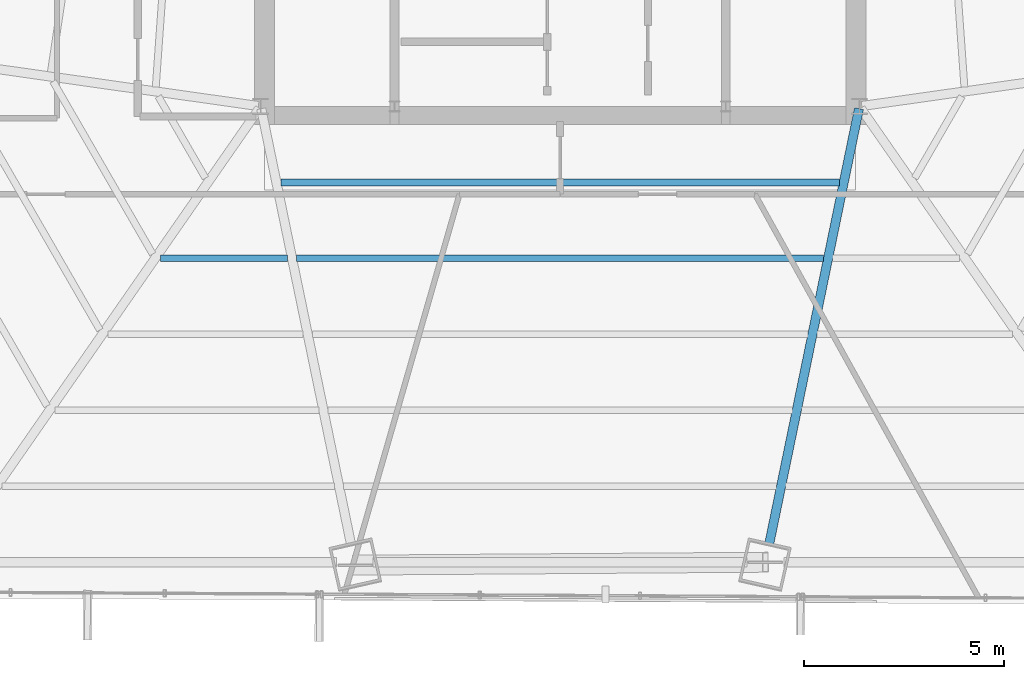
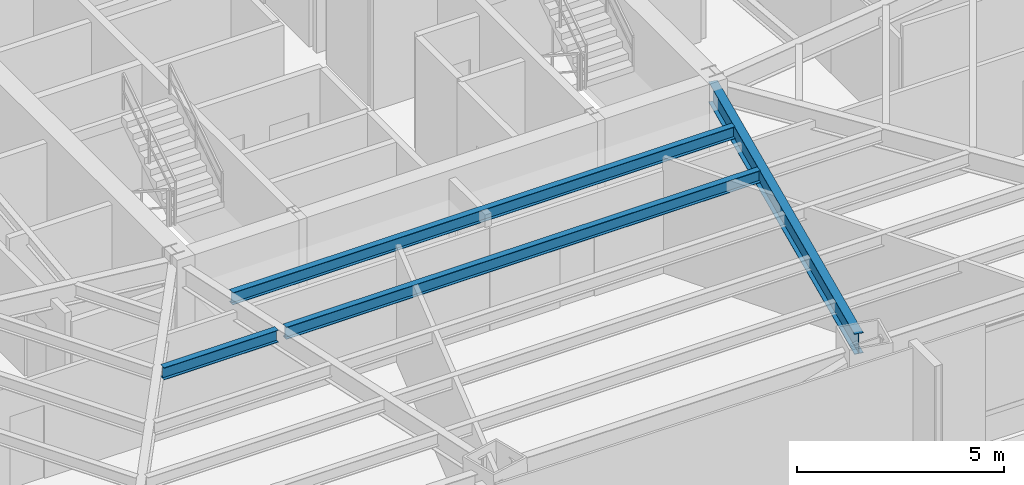
# One storey, part 10 of 36: 4 beams.
"""IFC4 building model written with IfcOpenShell, lengths in metres."""

from ifc_helpers import new_model, si_unit, direction, frame, origin, origin_2d, place, context, subcontext, project, spatial, i_section, extrude, source, transform, mapped, material, material_profile, profile_set, type_object, type_shapes, element, save


model = new_model("IFC4")

# Units and contexts
model_context = context("Model", 3, precision=1e-05, world=origin(), true_north=direction((0.0, 1.0)))
body_context = subcontext(model_context, "Body", "Model", "MODEL_VIEW")
ifc_project = project(units=[si_unit("LENGTHUNIT", "METRE"), si_unit("AREAUNIT", "SQUARE_METRE"), si_unit("VOLUMEUNIT", "CUBIC_METRE"), si_unit("PLANEANGLEUNIT", "RADIAN"), si_unit("MASSUNIT", "GRAM", prefix="KILO")], contexts=[model_context])

# Site, building, storey
site_placement = place(None, origin())
site = spatial("IfcSite", under=ifc_project, at=site_placement, CompositionType="ELEMENT")
building_placement = place(site_placement, origin())
building = spatial("IfcBuilding", under=site, at=building_placement, Name="Caelisora Broadcast Tower", CompositionType="ELEMENT")
storey_placement = place(building_placement, frame((0.0, 0.0, 83.5)))
storey = spatial("IfcBuildingStorey", under=building, at=storey_placement, Name="L21", CompositionType="ELEMENT", Elevation=83.5)

# Beams
ifc_material = material(Name="Steel Grade 350 (AS/NZS 3679.1)", Category="steel")
ifc_material_profile_1 = material_profile(ifc_material, i_section(OverallWidth=0.22802734375, OverallDepth=0.602294921875, WebThickness=0.010498046875, FlangeThickness=0.014892578125, at=origin_2d()), Name="Steel Grade 350 (AS/NZS 3679.1)")
ifc_profile_set_1 = profile_set([ifc_material_profile_1], Name="Steel Grade 350 (AS/NZS 3679.1)")
beam_type_1 = type_object("IfcBeamType", Name="PG04", PredefinedType="BEAM", material=ifc_profile_set_1)
shared_shape_1 = source(origin(), body_context, "Body", "SweptSolid", [
    extrude(i_section(OverallWidth=0.22802734375, OverallDepth=0.602294921875, WebThickness=0.010498046875, FlangeThickness=0.014892578125, at=origin_2d()), origin(), (0.0, 0.0, 1.0), 11.180908203125),
])
type_shapes(beam_type_1, [shared_shape_1])
beam_1_placement = place(storey_placement, frame((45.48779296875, 17.34130859375, 3.098876953125), z_axis=(-0.201978829994, -0.979389887754, 0.0), x_axis=(0.979389887754, -0.201978829994, 0.0)))
element("IfcBeam", 1, at=beam_1_placement, inside=storey, type_object=beam_type_1, Name="L21 beam PG04", PredefinedType="BEAM", context=body_context, shape_type="MappedRepresentation", body=[
    mapped(shared_shape_1, transform((0.0, 0.0, 0.0), scale=1.0)),
])
ifc_material_profile_2 = material_profile(ifc_material, i_section(OverallWidth=0.172119140625, OverallDepth=0.358642578125, WebThickness=0.008056640625, FlangeThickness=0.012939453125, at=origin_2d()), Name="Steel Grade 350 (AS/NZS 3679.1)")
ifc_profile_set_2 = profile_set([ifc_material_profile_2], Name="Steel Grade 350 (AS/NZS 3679.1)")
beam_type_2 = type_object("IfcBeamType", Name="SB02", PredefinedType="JOIST", material=ifc_profile_set_2)
shared_shape_2 = source(origin(), body_context, "Body", "SweptSolid", [
    extrude(i_section(OverallWidth=0.172119140625, OverallDepth=0.358642578125, WebThickness=0.008056640625, FlangeThickness=0.012939453125, at=origin_2d()), origin(), (0.0, 0.0, 1.0), 3.1806640625),
])
beam_2_placement = place(storey_placement, frame((27.990966796875, 13.59326171875, 3.220703125), z_axis=(1.0, 0.0, 0.0), x_axis=(0.0, 1.0, 0.0)))
element("IfcBeam", 2, at=beam_2_placement, inside=storey, type_object=beam_type_2, Name="L21 beam SB02", PredefinedType="JOIST", context=body_context, shape_type="MappedRepresentation", body=[
    mapped(shared_shape_2, transform((0.0, 0.0, 0.0), scale=1.0)),
])
shared_shape_3 = source(origin(), body_context, "Body", "SweptSolid", [
    extrude(i_section(OverallWidth=0.172119140625, OverallDepth=0.358642578125, WebThickness=0.008056640625, FlangeThickness=0.012939453125, at=origin_2d()), origin(), (0.0, 0.0, 1.0), 13.98828125),
])
beam_3_placement = place(storey_placement, frame((31.005859375, 15.49658203125, 3.220703125), z_axis=(1.0, 0.0, 0.0), x_axis=(0.0, 1.0, 0.0)))
element("IfcBeam", 3, at=beam_3_placement, inside=storey, type_object=beam_type_2, Name="L21 beam SB02", PredefinedType="JOIST", context=body_context, shape_type="MappedRepresentation", body=[
    mapped(shared_shape_3, transform((0.0, 0.0, 0.0), scale=1.0)),
])
shared_shape_4 = source(origin(), body_context, "Body", "SweptSolid", [
    extrude(i_section(OverallWidth=0.172119140625, OverallDepth=0.358642578125, WebThickness=0.008056640625, FlangeThickness=0.012939453125, at=origin_2d()), origin(), (0.0, 0.0, 1.0), 13.203125),
])
type_shapes(beam_type_2, [shared_shape_2, shared_shape_3, shared_shape_4])
beam_4_placement = place(storey_placement, frame((31.3984375, 13.59326171875, 3.220703125), z_axis=(1.0, 0.0, 0.0), x_axis=(0.0, 1.0, 0.0)))
element("IfcBeam", 4, at=beam_4_placement, inside=storey, type_object=beam_type_2, Name="L21 beam SB02", PredefinedType="JOIST", context=body_context, shape_type="MappedRepresentation", body=[
    mapped(shared_shape_4, transform((0.0, 0.0, 0.0), scale=1.0)),
])

save(model, "model.ifc")
